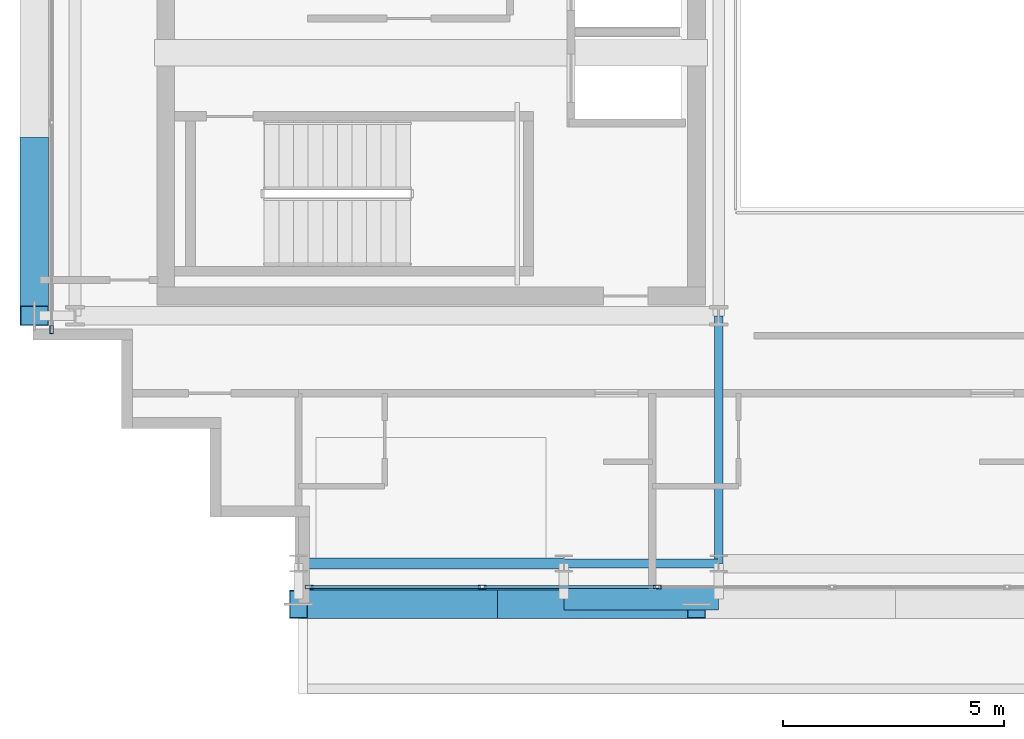
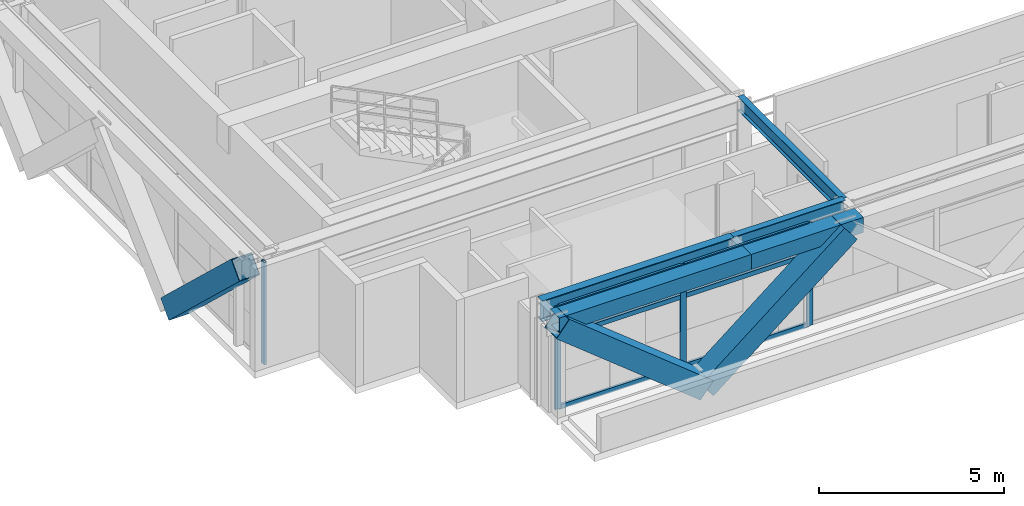
# One storey, part 2 of 27: 13 members, 5 beams, 2 elements without a shape of their own.
"""IFC4 building model written with IfcOpenShell, lengths in metres."""

from ifc_helpers import new_model, si_unit, direction, frame, origin, origin_2d, place, context, subcontext, project, spatial, hollow_rectangle, i_section, extrude, source, transform, mapped, material, layer, layer_set, material_profile, profile_set, type_object, element, aggregate, save


model = new_model("IFC4")

# Units and contexts
model_context = context("Model", 3, precision=1e-05, world=origin(), true_north=direction((0.0, 1.0)))
body_context = subcontext(model_context, "Body", "Model", "MODEL_VIEW")
ifc_project = project(units=[si_unit("LENGTHUNIT", "METRE"), si_unit("AREAUNIT", "SQUARE_METRE"), si_unit("VOLUMEUNIT", "CUBIC_METRE"), si_unit("PLANEANGLEUNIT", "RADIAN"), si_unit("MASSUNIT", "GRAM", prefix="KILO")], contexts=[model_context])

# Site, building, storey
site_placement = place(None, origin())
site = spatial("IfcSite", under=ifc_project, at=site_placement, CompositionType="ELEMENT")
building_placement = place(site_placement, origin())
building = spatial("IfcBuilding", under=site, at=building_placement, Name="Ocotamira Hotel", CompositionType="ELEMENT")
storey_placement = place(building_placement, frame((0.0, 0.0, 232.800048828125)))
storey = spatial("IfcBuildingStorey", under=building, at=storey_placement, Name="L58", CompositionType="ELEMENT", Elevation=232.800048828125)

# Beams
ifc_material_1 = material(Name="Steel ASTM A992 Grade 50", Category="steel")
ifc_material_profile_1 = material_profile(ifc_material_1, i_section(OverallWidth=0.256103515625, OverallDepth=0.693115234375, WebThickness=0.014404296875, FlangeThickness=0.023681640625, FilletRadius=0.01611328125, at=origin_2d()), Name="W27X114")
ifc_profile_set_1 = profile_set([ifc_material_profile_1], Name="Steel ASTM A992 Grade 50")
beam_type_1 = type_object("IfcBeamType", Name="BM-PRIM-W27X114", PredefinedType="BEAM", material=ifc_profile_set_1)
shared_shape_1 = source(origin(), body_context, "Body", "SweptSolid", [
    extrude(i_section(OverallWidth=0.256103515625, OverallDepth=0.693115234375, WebThickness=0.014404296875, FlangeThickness=0.023681640625, FilletRadius=0.01611328125, at=origin_2d()), origin(), (0.0, 0.0, 1.0), 6.0),
])
beam_1_placement = place(storey_placement, frame((14.0, 8.949951171875, 3.033447265625), z_axis=(1.0, 0.0, 0.0), x_axis=(0.0, 1.0, 0.0)))
element("IfcBeam", 1, at=beam_1_placement, inside=storey, type_object=beam_type_1, Name="L58 Girder Y8.95 X14-20", PredefinedType="BEAM", context=body_context, shape_type="MappedRepresentation", body=[
    mapped(shared_shape_1, transform((0.0, 0.0, 0.0), scale=1.0)),
])
ifc_material_profile_2 = material_profile(ifc_material_1, i_section(OverallWidth=0.2099609375, OverallDepth=0.537109375, WebThickness=0.010986328125, FlangeThickness=0.017333984375, FilletRadius=0.012939453125, at=origin_2d()), Name="W21X68")
ifc_profile_set_2 = profile_set([ifc_material_profile_2], Name="Steel ASTM A992 Grade 50")
beam_type_2 = type_object("IfcBeamType", Name="BM-SEC-W21X68", PredefinedType="JOIST", material=ifc_profile_set_2)
shared_shape_2 = source(origin(), body_context, "Body", "SweptSolid", [
    extrude(i_section(OverallWidth=0.2099609375, OverallDepth=0.537109375, WebThickness=0.010986328125, FlangeThickness=0.017333984375, FilletRadius=0.012939453125, at=origin_2d()), origin(), (0.0, 0.0, 1.0), 3.5),
])
beam_2_placement = place(storey_placement, frame((20.0, 8.949951171875, 3.111572265625), z_axis=(1.0, 0.0, 0.0), x_axis=(0.0, 1.0, 0.0)))
element("IfcBeam", 2, at=beam_2_placement, inside=storey, type_object=beam_type_2, Name="L58 Girder Y8.95 X20-23.5", PredefinedType="JOIST", context=body_context, shape_type="MappedRepresentation", body=[
    mapped(shared_shape_2, transform((0.0, 0.0, 0.0), scale=1.0)),
])
ifc_material_2 = material(Name="Steel ASTM A500 Grade C", Category="steel")
ifc_material_profile_3 = material_profile(ifc_material_2, hollow_rectangle(XDim=0.5, YDim=0.5, WallThickness=0.02001953125, at=origin_2d()), Name="HSS500X500X20")
ifc_profile_set_3 = profile_set([ifc_material_profile_3], Name="Steel ASTM A500 Grade C")
beam_type_3 = type_object("IfcBeamType", Name="BM-SPAN-HSS500", PredefinedType="USERDEFINED", material=ifc_profile_set_3)
shared_shape_3 = source(origin(), body_context, "Body", "SweptSolid", [
    extrude(hollow_rectangle(XDim=0.5, YDim=0.5, WallThickness=0.02001953125, at=origin_2d()), origin(), (0.0, 0.0, 1.0), 6.0),
])
beam_3_placement = place(storey_placement, frame((14.0, 8.14990234375, 3.1298828125), z_axis=(1.0, 0.0, 0.0), x_axis=(0.0, 1.0, 0.0)))
element("IfcBeam", 3, at=beam_3_placement, inside=storey, type_object=beam_type_3, Name="L58 Edge Spandrel S X14-20", ObjectType="SPANDREL", PredefinedType="USERDEFINED", context=body_context, shape_type="MappedRepresentation", body=[
    mapped(shared_shape_3, transform((0.0, 0.0, 0.0), scale=1.0)),
])
shared_shape_4 = source(origin(), body_context, "Body", "SweptSolid", [
    extrude(hollow_rectangle(XDim=0.5, YDim=0.5, WallThickness=0.02001953125, at=origin_2d()), origin(), (0.0, 0.0, 1.0), 3.5),
])
beam_4_placement = place(storey_placement, frame((20.0, 8.14990234375, 3.1298828125), z_axis=(1.0, 0.0, 0.0), x_axis=(0.0, 1.0, 0.0)))
element("IfcBeam", 4, at=beam_4_placement, inside=storey, type_object=beam_type_3, Name="L58 Edge Spandrel S X20-23.5", ObjectType="SPANDREL", PredefinedType="USERDEFINED", context=body_context, shape_type="MappedRepresentation", body=[
    mapped(shared_shape_4, transform((0.0, 0.0, 0.0), scale=1.0)),
])
ifc_material_profile_4 = material_profile(ifc_material_1, i_section(OverallWidth=0.18994140625, OverallDepth=0.45703125, WebThickness=0.009033203125, FlangeThickness=0.014404296875, FilletRadius=0.010009765625, at=origin_2d()), Name="W18X50")
ifc_profile_set_4 = profile_set([ifc_material_profile_4], Name="Steel ASTM A992 Grade 50")
beam_type_4 = type_object("IfcBeamType", Name="BM-SEC-W18X50", PredefinedType="JOIST", material=ifc_profile_set_4)
shared_shape_5 = source(origin(), body_context, "Body", "SweptSolid", [
    extrude(i_section(OverallWidth=0.18994140625, OverallDepth=0.45703125, WebThickness=0.009033203125, FlangeThickness=0.014404296875, FilletRadius=0.010009765625, at=origin_2d()), origin(), (0.0, 0.0, 1.0), 5.60009765625),
])
beam_5_placement = place(storey_placement, frame((23.5, 8.949951171875, 3.1513671875), z_axis=(0.0, 1.0, 0.0), x_axis=(-1.0, 0.0, 0.0)))
element("IfcBeam", 5, at=beam_5_placement, inside=storey, type_object=beam_type_4, Name="L58 Beam X23.5 Y8.95-14.55", PredefinedType="JOIST", context=body_context, shape_type="MappedRepresentation", body=[
    mapped(shared_shape_5, transform((0.0, 0.0, 0.0), scale=1.0)),
])

# Members
ifc_material_3 = material(Name="Pale-metal coated steel ASTM A913 Grade 65", Category="steel")
ifc_material_profile_5 = material_profile(ifc_material_3, hollow_rectangle(XDim=0.64990234375, YDim=0.64990234375, WallThickness=0.02197265625, at=origin_2d()), Name="BOX650X650X22")
ifc_profile_set_5 = profile_set([ifc_material_profile_5], Name="Pale-metal coated steel ASTM A913 Grade 65")
member_type_1 = type_object("IfcMemberType", Name="MEM-EXO-BOX650", PredefinedType="BRACE", material=ifc_profile_set_5)
shared_shape_6 = source(origin(), body_context, "Body", "SweptSolid", [
    extrude(hollow_rectangle(XDim=0.64990234375, YDim=0.64990234375, WallThickness=0.02197265625, at=origin_2d()), origin(), (0.0, 0.0, 1.0), 5.24658203125),
])
member_1_placement = place(storey_placement, frame((8.030029296875, 18.36669921875, -0.469970703125), z_axis=(0.0, -0.72746596067, 0.686143772154), x_axis=(1.0, 0.0, 0.0)))
element("IfcMember", 6, at=member_1_placement, inside=storey, type_object=member_type_1, Name="L58 Exoskeleton Diagrid W0.1", PredefinedType="BRACE", context=body_context, shape_type="MappedRepresentation", body=[
    mapped(shared_shape_6, transform((0.0, 0.0, 0.0), scale=1.0)),
])
shared_shape_7 = source(origin(), body_context, "Body", "SweptSolid", [
    extrude(hollow_rectangle(XDim=0.64990234375, YDim=0.64990234375, WallThickness=0.02197265625, at=origin_2d()), origin(), (0.0, 0.0, 1.0), 5.7626953125),
])
for number, where, z_axis, x_axis, name in (
    (7, (18.5, 8.030029296875, -0.469970703125), (-0.780881208953, 0.0, 0.624679547852), (0.0, -1.0, 0.0), "L58 Exoskeleton Diagrid S0.1"),
    (8, (18.5, 8.030029296875, -0.469970703125), (0.780881208953, 0.0, 0.624679547852), (0.0, 1.0, 0.0), "L58 Exoskeleton Diagrid S0.2"),
):
    element("IfcMember", number, at=place(storey_placement, frame(where, z_axis=z_axis, x_axis=x_axis)), inside=storey, type_object=member_type_1, Name=name, PredefinedType="BRACE", context=body_context, shape_type="MappedRepresentation", body=[
        mapped(shared_shape_7, transform((0.0, 0.0, 0.0), scale=1.0)),
    ])

# Curtain wall, members
ifc_material_4 = material(Name="Anodised pale-metal aluminium and solar glass", Category="aluminium")
ifc_layer = layer(ifc_material_4, 0.239990234375)
ifc_layer_set = layer_set([ifc_layer], Name="Anodised pale-metal aluminium and solar glass")
curtain_wall_type = type_object("IfcCurtainWallType", Name="CW-SYS5-SKY", PredefinedType="NOTDEFINED", material=ifc_layer_set)
curtain_wall_1_placement = place(storey_placement, origin())
curtain_wall_1 = element("IfcCurtainWall", 9, at=curtain_wall_1_placement, inside=storey, type_object=curtain_wall_type, Name="L58 Curtain Wall CW-5 CW-L58-S1", PredefinedType="NOTDEFINED")
ifc_material_5 = material(Name="Anodised pale-metal aluminium 6063-T6", Category="aluminium")
ifc_material_profile_6 = material_profile(ifc_material_5, hollow_rectangle(XDim=0.074951171875, YDim=0.14990234375, WallThickness=0.006103515625, at=origin_2d()), Name="HSS150X75X6")
ifc_profile_set_6 = profile_set([ifc_material_profile_6], Name="Anodised pale-metal aluminium 6063-T6")
member_type_2 = type_object("IfcMemberType", Name="CWT-150X75", PredefinedType="USERDEFINED", material=ifc_profile_set_6)
shared_shape_8 = source(origin(), body_context, "Body", "SweptSolid", [
    extrude(hollow_rectangle(XDim=0.074951171875, YDim=0.14990234375, WallThickness=0.006103515625, at=origin_2d()), origin(), (0.0, 0.0, 1.0), 3.83544921875),
])
member_2_placement = place(storey_placement, frame((14.280029296875, 8.419921875, 0.037353515625), z_axis=(1.0, 0.0, 0.0), x_axis=(0.0, 1.0, 0.0)))
member_2 = element("IfcMember", 10, at=member_2_placement, type_object=member_type_2, Name="CW-5 transom 1.1", ObjectType="TRANSOM", PredefinedType="USERDEFINED", context=body_context, shape_type="MappedRepresentation", body=[
    mapped(shared_shape_8, transform((0.0, 0.0, 0.0), scale=1.0)),
])
member_3_placement = place(storey_placement, frame((14.280029296875, 8.419921875, 2.349853515625), z_axis=(1.0, 0.0, 0.0), x_axis=(0.0, 1.0, 0.0)))
member_3 = element("IfcMember", 11, at=member_3_placement, type_object=member_type_2, Name="CW-5 transom 1.2", ObjectType="TRANSOM", PredefinedType="USERDEFINED", context=body_context, shape_type="MappedRepresentation", body=[
    mapped(shared_shape_8, transform((0.0, 0.0, 0.0), scale=1.0)),
])
member_4_placement = place(storey_placement, frame((14.280029296875, 8.419921875, 3.342529296875), z_axis=(1.0, 0.0, 0.0), x_axis=(0.0, 1.0, 0.0)))
member_4 = element("IfcMember", 12, at=member_4_placement, type_object=member_type_2, Name="CW-5 transom 1.3", ObjectType="TRANSOM", PredefinedType="USERDEFINED", context=body_context, shape_type="MappedRepresentation", body=[
    mapped(shared_shape_8, transform((0.0, 0.0, 0.0), scale=1.0)),
])
shared_shape_9 = source(origin(), body_context, "Body", "SweptSolid", [
    extrude(hollow_rectangle(XDim=0.074951171875, YDim=0.14990234375, WallThickness=0.006103515625, at=origin_2d()), origin(), (0.0, 0.0, 1.0), 3.87548828125),
])
member_5_placement = place(storey_placement, frame((18.195556640625, 8.419921875, 0.037353515625), z_axis=(1.0, 0.0, 0.0), x_axis=(0.0, 1.0, 0.0)))
member_5 = element("IfcMember", 13, at=member_5_placement, type_object=member_type_2, Name="CW-5 transom 2.1", ObjectType="TRANSOM", PredefinedType="USERDEFINED", context=body_context, shape_type="MappedRepresentation", body=[
    mapped(shared_shape_9, transform((0.0, 0.0, 0.0), scale=1.0)),
])
member_6_placement = place(storey_placement, frame((18.195556640625, 8.419921875, 2.349853515625), z_axis=(1.0, 0.0, 0.0), x_axis=(0.0, 1.0, 0.0)))
member_6 = element("IfcMember", 14, at=member_6_placement, type_object=member_type_2, Name="CW-5 transom 2.2", ObjectType="TRANSOM", PredefinedType="USERDEFINED", context=body_context, shape_type="MappedRepresentation", body=[
    mapped(shared_shape_9, transform((0.0, 0.0, 0.0), scale=1.0)),
])
member_7_placement = place(storey_placement, frame((18.195556640625, 8.419921875, 3.342529296875), z_axis=(1.0, 0.0, 0.0), x_axis=(0.0, 1.0, 0.0)))
member_7 = element("IfcMember", 15, at=member_7_placement, type_object=member_type_2, Name="CW-5 transom 2.3", ObjectType="TRANSOM", PredefinedType="USERDEFINED", context=body_context, shape_type="MappedRepresentation", body=[
    mapped(shared_shape_9, transform((0.0, 0.0, 0.0), scale=1.0)),
])
ifc_material_profile_7 = material_profile(ifc_material_5, hollow_rectangle(XDim=0.080078125, YDim=0.179931640625, WallThickness=0.006103515625, at=origin_2d()), Name="HSS180X80X6")
ifc_profile_set_7 = profile_set([ifc_material_profile_7], Name="Anodised pale-metal aluminium 6063-T6")
member_type_3 = type_object("IfcMemberType", Name="CWM-180X75", PredefinedType="MULLION", material=ifc_profile_set_7)
shared_shape_10 = source(origin(), body_context, "Body", "SweptSolid", [
    extrude(hollow_rectangle(XDim=0.080078125, YDim=0.179931640625, WallThickness=0.006103515625, at=origin_2d()), origin(), (0.0, 0.0, 1.0), 3.3798828125),
])
member_8_placement = place(storey_placement, frame((14.239990234375, 8.419921875, 0.0), z_axis=(0.0, 0.0, 1.0), x_axis=(0.0, 1.0, 0.0)))
member_8 = element("IfcMember", 16, at=member_8_placement, type_object=member_type_3, Name="CW-5 mullion 1", PredefinedType="MULLION", context=body_context, shape_type="MappedRepresentation", body=[
    mapped(shared_shape_10, transform((0.0, 0.0, 0.0), scale=1.0)),
])
member_9_placement = place(storey_placement, frame((18.155517578125, 8.419921875, 0.0), z_axis=(0.0, 0.0, 1.0), x_axis=(0.0, 1.0, 0.0)))
member_9 = element("IfcMember", 17, at=member_9_placement, type_object=member_type_3, Name="CW-5 mullion 2", PredefinedType="MULLION", context=body_context, shape_type="MappedRepresentation", body=[
    mapped(shared_shape_10, transform((0.0, 0.0, 0.0), scale=1.0)),
])
member_10_placement = place(storey_placement, frame((22.111083984375, 8.419921875, 0.0), z_axis=(0.0, 0.0, 1.0), x_axis=(0.0, 1.0, 0.0)))
member_10 = element("IfcMember", 18, at=member_10_placement, type_object=member_type_3, Name="CW-5 mullion 3", PredefinedType="MULLION", context=body_context, shape_type="MappedRepresentation", body=[
    mapped(shared_shape_10, transform((0.0, 0.0, 0.0), scale=1.0)),
])
aggregate(curtain_wall_1, [member_8, member_9, member_10, member_2, member_3, member_4, member_5, member_6, member_7])

# Curtain wall, member
curtain_wall_2_placement = place(storey_placement, origin())
curtain_wall_2 = element("IfcCurtainWall", 19, at=curtain_wall_2_placement, inside=storey, type_object=curtain_wall_type, Name="L58 Curtain Wall CW-5 CW-L58-W", PredefinedType="NOTDEFINED")
member_11_placement = place(storey_placement, frame((8.419921875, 14.239990234375, 0.0), z_axis=(0.0, 0.0, 1.0), x_axis=(-1.0, 0.0, 0.0)))
member_11 = element("IfcMember", 20, at=member_11_placement, type_object=member_type_3, Name="CW-5 mullion 1", PredefinedType="MULLION", context=body_context, shape_type="MappedRepresentation", body=[
    mapped(shared_shape_10, transform((0.0, 0.0, 0.0), scale=1.0)),
])
aggregate(curtain_wall_2, [member_11])

save(model, "model.ifc")
